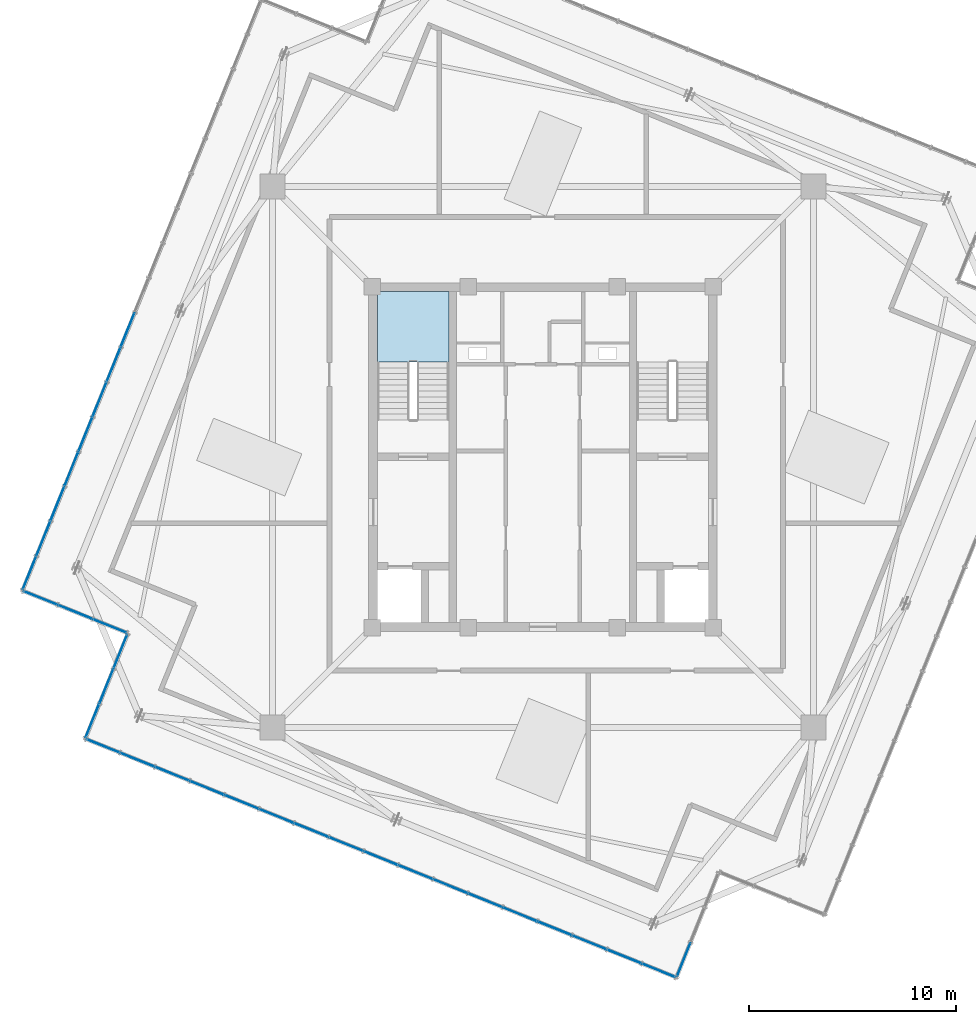
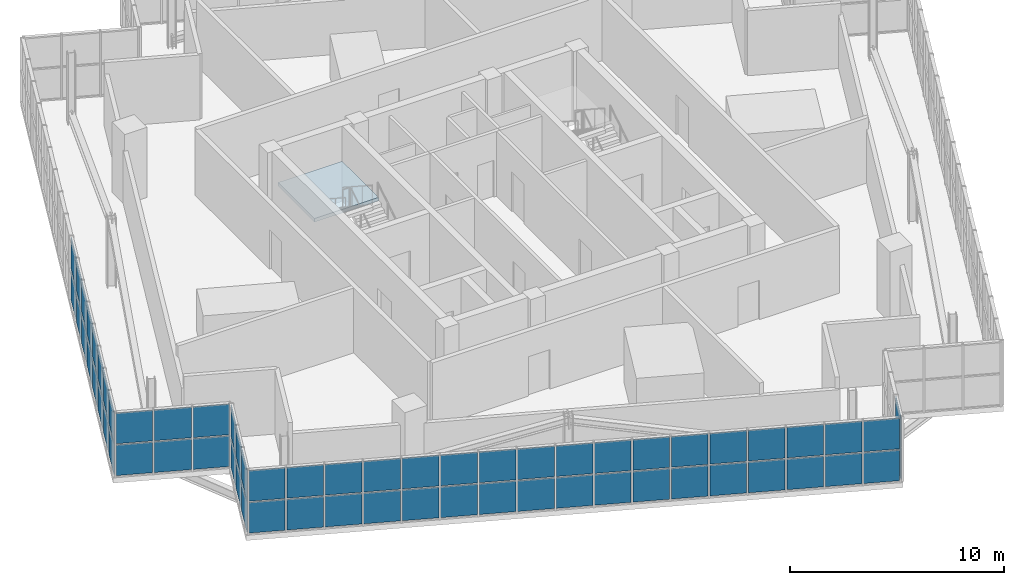
# One storey, part 18 of 26: 64 plates, 1 slab, 6 elements without a shape of their own.
"""IFC4 building model written with IfcOpenShell, lengths in metres."""

from ifc_helpers import new_model, si_unit, direction, frame, origin, origin_2d, place, context, subcontext, project, spatial, polyline, rectangle, outline, extrude, source, transform, mapped, material, layer, layer_set, type_object, element, aggregate, save


model = new_model("IFC4")

# Units and contexts
model_context = context("Model", 3, precision=1e-05, world=origin(), true_north=direction((0.0, 1.0)))
body_context = subcontext(model_context, "Body", "Model", "MODEL_VIEW")
ifc_project = project(units=[si_unit("LENGTHUNIT", "METRE"), si_unit("AREAUNIT", "SQUARE_METRE"), si_unit("VOLUMEUNIT", "CUBIC_METRE"), si_unit("PLANEANGLEUNIT", "RADIAN"), si_unit("MASSUNIT", "GRAM", prefix="KILO"), si_unit("THERMODYNAMICTEMPERATUREUNIT", "KELVIN")], contexts=[model_context])

# Site, building, storey
site_placement = place(None, origin())
site = spatial("IfcSite", under=ifc_project, at=site_placement, CompositionType="ELEMENT")
building_placement = place(site_placement, origin())
building = spatial("IfcBuilding", under=site, at=building_placement, Name="Kosmvard Interchange Tower", CompositionType="ELEMENT")
storey_placement = place(building_placement, frame((0.0, 0.0, 329.60009765625)))
storey = spatial("IfcBuildingStorey", under=building, at=storey_placement, Name="L81", CompositionType="ELEMENT", Elevation=329.60009765625)

# Stair, slab
ifc_material_1 = material(Name="Concrete C50/60", Category="concrete")
stair_type = type_object("IfcStairType", Name="Dog-Leg Core Exit Stair H4000 C50/60", PredefinedType="HALF_TURN_STAIR", material=ifc_material_1)
stair_placement = place(storey_placement, origin())
stair = element("IfcStair", 1, at=stair_placement, inside=storey, type_object=stair_type, Name="L81 Protected Exit Stair ST-1", PredefinedType="HALF_TURN_STAIR")
ifc_layer_1 = layer(ifc_material_1, 0.199951171875, Name="Concrete C50/60")
ifc_layer_set_1 = layer_set([ifc_layer_1], Name="Concrete C50/60")
slab_type = type_object("IfcSlabType", Name="Stair Half-Landing Slab 200 C50/60", PredefinedType="LANDING", material=ifc_layer_set_1)
slab_placement = place(storey_placement, frame((0.0, 0.0, 1.7998046875)))
slab = element("IfcSlab", 2, at=slab_placement, type_object=slab_type, Name="ST-1 landing 1", PredefinedType="LANDING", context=body_context, shape_type="SweptSolid", body=[
    extrude(outline(polyline([(-4.5400390625, 4.60009765625), (-4.5400390625, 8.0), (-8.0, 8.0), (-8.0, 4.60009765625), (-4.5400390625, 4.60009765625)])), origin(), (0.0, 0.0, 1.0), 0.2001953125),
])
aggregate(stair, [slab])

# Curtain wall, plates
ifc_material_2 = material(Name="Architectural anodised aluminium", Category="aluminium")
ifc_layer_2 = layer(ifc_material_2, 0.25, Name="Architectural anodised aluminium")
ifc_layer_set_2 = layer_set([ifc_layer_2], Name="Architectural anodised aluminium")
curtain_wall_type = type_object("IfcCurtainWallType", Name="CW-6 Illuminated Crown Lantern Curtain Wall", PredefinedType="NOTDEFINED", material=ifc_layer_set_2)
curtain_wall_1_placement = place(storey_placement, origin())
curtain_wall_1 = element("IfcCurtainWall", 3, at=curtain_wall_1_placement, inside=storey, type_object=curtain_wall_type, Name="L81 Crown Lantern Glazing Face 07", PredefinedType="NOTDEFINED")
ifc_material_3 = material(Name="Laminated acoustic lantern glazing", Category="glass")
ifc_layer_3 = layer(ifc_material_3, 0.035888671875, Name="Laminated acoustic lantern glazing")
ifc_layer_set_3 = layer_set([ifc_layer_3], Name="Laminated acoustic lantern glazing")
plate_type = type_object("IfcPlateType", Name="Lantern Diffused Illuminated Panel 36", PredefinedType="CURTAIN_PANEL", material=ifc_layer_set_3)
shared_shape_1 = source(origin(), body_context, "Body", "SweptSolid", [
    extrude(rectangle(XDim=1.694091796875, YDim=0.035888671875, at=origin_2d()), origin(), (0.0, 0.0, 1.0), 1.7451171875),
])
plate_1_placement = place(storey_placement, frame((-24.825927734375, -5.600830078125, 0.06982421875), z_axis=(0.0, 0.0, 1.0), x_axis=(-0.374606584758, -0.927183858065, 0.0)))
plate_1 = element("IfcPlate", 4, at=plate_1_placement, type_object=plate_type, Name="CW-6 panel 17.1", PredefinedType="CURTAIN_PANEL", context=body_context, shape_type="MappedRepresentation", body=[
    mapped(shared_shape_1, transform((0.0, 0.0, 0.0), scale=1.0)),
])
plate_2_placement = place(storey_placement, frame((-24.825927734375, -5.600830078125, 1.884765625), z_axis=(0.0, 0.0, 1.0), x_axis=(-0.374606584758, -0.927183858065, 0.0)))
plate_2 = element("IfcPlate", 5, at=plate_2_placement, type_object=plate_type, Name="CW-6 panel 17.2", PredefinedType="CURTAIN_PANEL", context=body_context, shape_type="MappedRepresentation", body=[
    mapped(shared_shape_1, transform((0.0, 0.0, 0.0), scale=1.0)),
])

curtain_wall_2_placement = place(storey_placement, origin())
curtain_wall_2 = element("IfcCurtainWall", 6, at=curtain_wall_2_placement, inside=storey, type_object=curtain_wall_type, Name="L81 Crown Lantern Glazing Face 10", PredefinedType="NOTDEFINED")
plate_3_placement = place(storey_placement, frame((-21.2744140625, -13.967529296875, 0.06982421875), z_axis=(0.0, 0.0, 1.0), x_axis=(0.927183858065, -0.374606584758, 0.0)))
plate_3 = element("IfcPlate", 7, at=plate_3_placement, type_object=plate_type, Name="CW-6 panel 1.1", PredefinedType="CURTAIN_PANEL", context=body_context, shape_type="MappedRepresentation", body=[
    mapped(shared_shape_1, transform((0.0, 0.0, 0.0), scale=1.0)),
])
plate_4_placement = place(storey_placement, frame((-21.2744140625, -13.967529296875, 1.884765625), z_axis=(0.0, 0.0, 1.0), x_axis=(0.927183858065, -0.374606584758, 0.0)))
plate_4 = element("IfcPlate", 8, at=plate_4_placement, type_object=plate_type, Name="CW-6 panel 1.2", PredefinedType="CURTAIN_PANEL", context=body_context, shape_type="MappedRepresentation", body=[
    mapped(shared_shape_1, transform((0.0, 0.0, 0.0), scale=1.0)),
])
plate_5_placement = place(storey_placement, frame((5.600830078125, -24.825927734375, 0.06982421875), z_axis=(0.0, 0.0, 1.0), x_axis=(0.927183858065, -0.374606584758, 0.0)))
plate_5 = element("IfcPlate", 9, at=plate_5_placement, type_object=plate_type, Name="CW-6 panel 17.1", PredefinedType="CURTAIN_PANEL", context=body_context, shape_type="MappedRepresentation", body=[
    mapped(shared_shape_1, transform((0.0, 0.0, 0.0), scale=1.0)),
])
plate_6_placement = place(storey_placement, frame((5.600830078125, -24.825927734375, 1.884765625), z_axis=(0.0, 0.0, 1.0), x_axis=(0.927183858065, -0.374606584758, 0.0)))
plate_6 = element("IfcPlate", 10, at=plate_6_placement, type_object=plate_type, Name="CW-6 panel 17.2", PredefinedType="CURTAIN_PANEL", context=body_context, shape_type="MappedRepresentation", body=[
    mapped(shared_shape_1, transform((0.0, 0.0, 0.0), scale=1.0)),
])

# Plate
shared_shape_2 = source(origin(), body_context, "Body", "SweptSolid", [
    extrude(rectangle(XDim=1.734130859375, YDim=0.035888671875, at=origin_2d()), origin(), (0.0, 0.0, 1.0), 1.7451171875),
])
plate_7_placement = place(storey_placement, frame((-20.076171875, 6.15478515625, 0.06982421875), z_axis=(0.0, 0.0, 1.0), x_axis=(-0.374606584758, -0.927183858065, 0.0)))
plate_7 = element("IfcPlate", 11, at=plate_7_placement, type_object=plate_type, Name="CW-6 panel 10.1", PredefinedType="CURTAIN_PANEL", context=body_context, shape_type="MappedRepresentation", body=[
    mapped(shared_shape_2, transform((0.0, 0.0, 0.0), scale=1.0)),
])

plate_8_placement = place(storey_placement, frame((-20.076171875, 6.15478515625, 1.884765625), z_axis=(0.0, 0.0, 1.0), x_axis=(-0.374606584758, -0.927183858065, 0.0)))
plate_8 = element("IfcPlate", 12, at=plate_8_placement, type_object=plate_type, Name="CW-6 panel 10.2", PredefinedType="CURTAIN_PANEL", context=body_context, shape_type="MappedRepresentation", body=[
    mapped(shared_shape_2, transform((0.0, 0.0, 0.0), scale=1.0)),
])

plate_9_placement = place(storey_placement, frame((-20.755859375, 4.47265625, 0.06982421875), z_axis=(0.0, 0.0, 1.0), x_axis=(-0.374606584758, -0.927183858065, 0.0)))
plate_9 = element("IfcPlate", 13, at=plate_9_placement, type_object=plate_type, Name="CW-6 panel 11.1", PredefinedType="CURTAIN_PANEL", context=body_context, shape_type="MappedRepresentation", body=[
    mapped(shared_shape_2, transform((0.0, 0.0, 0.0), scale=1.0)),
])

plate_10_placement = place(storey_placement, frame((-20.755859375, 4.47265625, 1.884765625), z_axis=(0.0, 0.0, 1.0), x_axis=(-0.374606584758, -0.927183858065, 0.0)))
plate_10 = element("IfcPlate", 14, at=plate_10_placement, type_object=plate_type, Name="CW-6 panel 11.2", PredefinedType="CURTAIN_PANEL", context=body_context, shape_type="MappedRepresentation", body=[
    mapped(shared_shape_2, transform((0.0, 0.0, 0.0), scale=1.0)),
])

plate_11_placement = place(storey_placement, frame((-21.435546875, 2.790771484375, 0.06982421875), z_axis=(0.0, 0.0, 1.0), x_axis=(-0.374606584758, -0.927183858065, 0.0)))
plate_11 = element("IfcPlate", 15, at=plate_11_placement, type_object=plate_type, Name="CW-6 panel 12.1", PredefinedType="CURTAIN_PANEL", context=body_context, shape_type="MappedRepresentation", body=[
    mapped(shared_shape_2, transform((0.0, 0.0, 0.0), scale=1.0)),
])

plate_12_placement = place(storey_placement, frame((-21.435546875, 2.790771484375, 1.884765625), z_axis=(0.0, 0.0, 1.0), x_axis=(-0.374606584758, -0.927183858065, 0.0)))
plate_12 = element("IfcPlate", 16, at=plate_12_placement, type_object=plate_type, Name="CW-6 panel 12.2", PredefinedType="CURTAIN_PANEL", context=body_context, shape_type="MappedRepresentation", body=[
    mapped(shared_shape_2, transform((0.0, 0.0, 0.0), scale=1.0)),
])

plate_13_placement = place(storey_placement, frame((-22.114990234375, 1.108642578125, 0.06982421875), z_axis=(0.0, 0.0, 1.0), x_axis=(-0.374606584758, -0.927183858065, 0.0)))
plate_13 = element("IfcPlate", 17, at=plate_13_placement, type_object=plate_type, Name="CW-6 panel 13.1", PredefinedType="CURTAIN_PANEL", context=body_context, shape_type="MappedRepresentation", body=[
    mapped(shared_shape_2, transform((0.0, 0.0, 0.0), scale=1.0)),
])

plate_14_placement = place(storey_placement, frame((-22.114990234375, 1.108642578125, 1.884765625), z_axis=(0.0, 0.0, 1.0), x_axis=(-0.374606584758, -0.927183858065, 0.0)))
plate_14 = element("IfcPlate", 18, at=plate_14_placement, type_object=plate_type, Name="CW-6 panel 13.2", PredefinedType="CURTAIN_PANEL", context=body_context, shape_type="MappedRepresentation", body=[
    mapped(shared_shape_2, transform((0.0, 0.0, 0.0), scale=1.0)),
])

plate_15_placement = place(storey_placement, frame((-22.794677734375, -0.5732421875, 0.06982421875), z_axis=(0.0, 0.0, 1.0), x_axis=(-0.374606584758, -0.927183858065, 0.0)))
plate_15 = element("IfcPlate", 19, at=plate_15_placement, type_object=plate_type, Name="CW-6 panel 14.1", PredefinedType="CURTAIN_PANEL", context=body_context, shape_type="MappedRepresentation", body=[
    mapped(shared_shape_2, transform((0.0, 0.0, 0.0), scale=1.0)),
])

plate_16_placement = place(storey_placement, frame((-22.794677734375, -0.5732421875, 1.884765625), z_axis=(0.0, 0.0, 1.0), x_axis=(-0.374606584758, -0.927183858065, 0.0)))
plate_16 = element("IfcPlate", 20, at=plate_16_placement, type_object=plate_type, Name="CW-6 panel 14.2", PredefinedType="CURTAIN_PANEL", context=body_context, shape_type="MappedRepresentation", body=[
    mapped(shared_shape_2, transform((0.0, 0.0, 0.0), scale=1.0)),
])

plate_17_placement = place(storey_placement, frame((-23.47412109375, -2.25537109375, 0.06982421875), z_axis=(0.0, 0.0, 1.0), x_axis=(-0.374606584758, -0.927183858065, 0.0)))
plate_17 = element("IfcPlate", 21, at=plate_17_placement, type_object=plate_type, Name="CW-6 panel 15.1", PredefinedType="CURTAIN_PANEL", context=body_context, shape_type="MappedRepresentation", body=[
    mapped(shared_shape_2, transform((0.0, 0.0, 0.0), scale=1.0)),
])

plate_18_placement = place(storey_placement, frame((-23.47412109375, -2.25537109375, 1.884765625), z_axis=(0.0, 0.0, 1.0), x_axis=(-0.374606584758, -0.927183858065, 0.0)))
plate_18 = element("IfcPlate", 22, at=plate_18_placement, type_object=plate_type, Name="CW-6 panel 15.2", PredefinedType="CURTAIN_PANEL", context=body_context, shape_type="MappedRepresentation", body=[
    mapped(shared_shape_2, transform((0.0, 0.0, 0.0), scale=1.0)),
])

plate_19_placement = place(storey_placement, frame((-24.15380859375, -3.937255859375, 0.06982421875), z_axis=(0.0, 0.0, 1.0), x_axis=(-0.374606584758, -0.927183858065, 0.0)))
plate_19 = element("IfcPlate", 23, at=plate_19_placement, type_object=plate_type, Name="CW-6 panel 16.1", PredefinedType="CURTAIN_PANEL", context=body_context, shape_type="MappedRepresentation", body=[
    mapped(shared_shape_2, transform((0.0, 0.0, 0.0), scale=1.0)),
])

plate_20_placement = place(storey_placement, frame((-24.15380859375, -3.937255859375, 1.884765625), z_axis=(0.0, 0.0, 1.0), x_axis=(-0.374606584758, -0.927183858065, 0.0)))
plate_20 = element("IfcPlate", 24, at=plate_20_placement, type_object=plate_type, Name="CW-6 panel 16.2", PredefinedType="CURTAIN_PANEL", context=body_context, shape_type="MappedRepresentation", body=[
    mapped(shared_shape_2, transform((0.0, 0.0, 0.0), scale=1.0)),
])

aggregate(curtain_wall_1, [plate_7, plate_8, plate_9, plate_10, plate_11, plate_12, plate_13, plate_14, plate_15, plate_16, plate_17, plate_18, plate_19, plate_20, plate_1, plate_2])

plate_21_placement = place(storey_placement, frame((-19.61083984375, -14.6396484375, 0.06982421875), z_axis=(0.0, 0.0, 1.0), x_axis=(0.927183858065, -0.374606584758, 0.0)))
plate_21 = element("IfcPlate", 25, at=plate_21_placement, type_object=plate_type, Name="CW-6 panel 2.1", PredefinedType="CURTAIN_PANEL", context=body_context, shape_type="MappedRepresentation", body=[
    mapped(shared_shape_2, transform((0.0, 0.0, 0.0), scale=1.0)),
])

plate_22_placement = place(storey_placement, frame((-19.61083984375, -14.6396484375, 1.884765625), z_axis=(0.0, 0.0, 1.0), x_axis=(0.927183858065, -0.374606584758, 0.0)))
plate_22 = element("IfcPlate", 26, at=plate_22_placement, type_object=plate_type, Name="CW-6 panel 2.2", PredefinedType="CURTAIN_PANEL", context=body_context, shape_type="MappedRepresentation", body=[
    mapped(shared_shape_2, transform((0.0, 0.0, 0.0), scale=1.0)),
])

plate_23_placement = place(storey_placement, frame((-17.928955078125, -15.319091796875, 0.06982421875), z_axis=(0.0, 0.0, 1.0), x_axis=(0.927183858065, -0.374606584758, 0.0)))
plate_23 = element("IfcPlate", 27, at=plate_23_placement, type_object=plate_type, Name="CW-6 panel 3.1", PredefinedType="CURTAIN_PANEL", context=body_context, shape_type="MappedRepresentation", body=[
    mapped(shared_shape_2, transform((0.0, 0.0, 0.0), scale=1.0)),
])

plate_24_placement = place(storey_placement, frame((-17.928955078125, -15.319091796875, 1.884765625), z_axis=(0.0, 0.0, 1.0), x_axis=(0.927183858065, -0.374606584758, 0.0)))
plate_24 = element("IfcPlate", 28, at=plate_24_placement, type_object=plate_type, Name="CW-6 panel 3.2", PredefinedType="CURTAIN_PANEL", context=body_context, shape_type="MappedRepresentation", body=[
    mapped(shared_shape_2, transform((0.0, 0.0, 0.0), scale=1.0)),
])

plate_25_placement = place(storey_placement, frame((-16.246826171875, -15.998779296875, 0.06982421875), z_axis=(0.0, 0.0, 1.0), x_axis=(0.927183858065, -0.374606584758, 0.0)))
plate_25 = element("IfcPlate", 29, at=plate_25_placement, type_object=plate_type, Name="CW-6 panel 4.1", PredefinedType="CURTAIN_PANEL", context=body_context, shape_type="MappedRepresentation", body=[
    mapped(shared_shape_2, transform((0.0, 0.0, 0.0), scale=1.0)),
])

plate_26_placement = place(storey_placement, frame((-16.246826171875, -15.998779296875, 1.884765625), z_axis=(0.0, 0.0, 1.0), x_axis=(0.927183858065, -0.374606584758, 0.0)))
plate_26 = element("IfcPlate", 30, at=plate_26_placement, type_object=plate_type, Name="CW-6 panel 4.2", PredefinedType="CURTAIN_PANEL", context=body_context, shape_type="MappedRepresentation", body=[
    mapped(shared_shape_2, transform((0.0, 0.0, 0.0), scale=1.0)),
])

plate_27_placement = place(storey_placement, frame((-14.56494140625, -16.678466796875, 0.06982421875), z_axis=(0.0, 0.0, 1.0), x_axis=(0.927183858065, -0.374606584758, 0.0)))
plate_27 = element("IfcPlate", 31, at=plate_27_placement, type_object=plate_type, Name="CW-6 panel 5.1", PredefinedType="CURTAIN_PANEL", context=body_context, shape_type="MappedRepresentation", body=[
    mapped(shared_shape_2, transform((0.0, 0.0, 0.0), scale=1.0)),
])

plate_28_placement = place(storey_placement, frame((-14.56494140625, -16.678466796875, 1.884765625), z_axis=(0.0, 0.0, 1.0), x_axis=(0.927183858065, -0.374606584758, 0.0)))
plate_28 = element("IfcPlate", 32, at=plate_28_placement, type_object=plate_type, Name="CW-6 panel 5.2", PredefinedType="CURTAIN_PANEL", context=body_context, shape_type="MappedRepresentation", body=[
    mapped(shared_shape_2, transform((0.0, 0.0, 0.0), scale=1.0)),
])

plate_29_placement = place(storey_placement, frame((-12.8828125, -17.35791015625, 0.06982421875), z_axis=(0.0, 0.0, 1.0), x_axis=(0.927183858065, -0.374606584758, 0.0)))
plate_29 = element("IfcPlate", 33, at=plate_29_placement, type_object=plate_type, Name="CW-6 panel 6.1", PredefinedType="CURTAIN_PANEL", context=body_context, shape_type="MappedRepresentation", body=[
    mapped(shared_shape_2, transform((0.0, 0.0, 0.0), scale=1.0)),
])

plate_30_placement = place(storey_placement, frame((-12.8828125, -17.35791015625, 1.884765625), z_axis=(0.0, 0.0, 1.0), x_axis=(0.927183858065, -0.374606584758, 0.0)))
plate_30 = element("IfcPlate", 34, at=plate_30_placement, type_object=plate_type, Name="CW-6 panel 6.2", PredefinedType="CURTAIN_PANEL", context=body_context, shape_type="MappedRepresentation", body=[
    mapped(shared_shape_2, transform((0.0, 0.0, 0.0), scale=1.0)),
])

plate_31_placement = place(storey_placement, frame((-11.200927734375, -18.03759765625, 0.06982421875), z_axis=(0.0, 0.0, 1.0), x_axis=(0.927183858065, -0.374606584758, 0.0)))
plate_31 = element("IfcPlate", 35, at=plate_31_placement, type_object=plate_type, Name="CW-6 panel 7.1", PredefinedType="CURTAIN_PANEL", context=body_context, shape_type="MappedRepresentation", body=[
    mapped(shared_shape_2, transform((0.0, 0.0, 0.0), scale=1.0)),
])

plate_32_placement = place(storey_placement, frame((-11.200927734375, -18.03759765625, 1.884765625), z_axis=(0.0, 0.0, 1.0), x_axis=(0.927183858065, -0.374606584758, 0.0)))
plate_32 = element("IfcPlate", 36, at=plate_32_placement, type_object=plate_type, Name="CW-6 panel 7.2", PredefinedType="CURTAIN_PANEL", context=body_context, shape_type="MappedRepresentation", body=[
    mapped(shared_shape_2, transform((0.0, 0.0, 0.0), scale=1.0)),
])

plate_33_placement = place(storey_placement, frame((-9.518798828125, -18.717041015625, 0.06982421875), z_axis=(0.0, 0.0, 1.0), x_axis=(0.927183858065, -0.374606584758, 0.0)))
plate_33 = element("IfcPlate", 37, at=plate_33_placement, type_object=plate_type, Name="CW-6 panel 8.1", PredefinedType="CURTAIN_PANEL", context=body_context, shape_type="MappedRepresentation", body=[
    mapped(shared_shape_2, transform((0.0, 0.0, 0.0), scale=1.0)),
])

plate_34_placement = place(storey_placement, frame((-9.518798828125, -18.717041015625, 1.884765625), z_axis=(0.0, 0.0, 1.0), x_axis=(0.927183858065, -0.374606584758, 0.0)))
plate_34 = element("IfcPlate", 38, at=plate_34_placement, type_object=plate_type, Name="CW-6 panel 8.2", PredefinedType="CURTAIN_PANEL", context=body_context, shape_type="MappedRepresentation", body=[
    mapped(shared_shape_2, transform((0.0, 0.0, 0.0), scale=1.0)),
])

plate_35_placement = place(storey_placement, frame((-7.836669921875, -19.396728515625, 0.06982421875), z_axis=(0.0, 0.0, 1.0), x_axis=(0.927183858065, -0.374606584758, 0.0)))
plate_35 = element("IfcPlate", 39, at=plate_35_placement, type_object=plate_type, Name="CW-6 panel 9.1", PredefinedType="CURTAIN_PANEL", context=body_context, shape_type="MappedRepresentation", body=[
    mapped(shared_shape_2, transform((0.0, 0.0, 0.0), scale=1.0)),
])

plate_36_placement = place(storey_placement, frame((-7.836669921875, -19.396728515625, 1.884765625), z_axis=(0.0, 0.0, 1.0), x_axis=(0.927183858065, -0.374606584758, 0.0)))
plate_36 = element("IfcPlate", 40, at=plate_36_placement, type_object=plate_type, Name="CW-6 panel 9.2", PredefinedType="CURTAIN_PANEL", context=body_context, shape_type="MappedRepresentation", body=[
    mapped(shared_shape_2, transform((0.0, 0.0, 0.0), scale=1.0)),
])

plate_37_placement = place(storey_placement, frame((-6.15478515625, -20.076171875, 0.06982421875), z_axis=(0.0, 0.0, 1.0), x_axis=(0.927183858065, -0.374606584758, 0.0)))
plate_37 = element("IfcPlate", 41, at=plate_37_placement, type_object=plate_type, Name="CW-6 panel 10.1", PredefinedType="CURTAIN_PANEL", context=body_context, shape_type="MappedRepresentation", body=[
    mapped(shared_shape_2, transform((0.0, 0.0, 0.0), scale=1.0)),
])

plate_38_placement = place(storey_placement, frame((-6.15478515625, -20.076171875, 1.884765625), z_axis=(0.0, 0.0, 1.0), x_axis=(0.927183858065, -0.374606584758, 0.0)))
plate_38 = element("IfcPlate", 42, at=plate_38_placement, type_object=plate_type, Name="CW-6 panel 10.2", PredefinedType="CURTAIN_PANEL", context=body_context, shape_type="MappedRepresentation", body=[
    mapped(shared_shape_2, transform((0.0, 0.0, 0.0), scale=1.0)),
])

plate_39_placement = place(storey_placement, frame((-4.47265625, -20.755859375, 0.06982421875), z_axis=(0.0, 0.0, 1.0), x_axis=(0.927183858065, -0.374606584758, 0.0)))
plate_39 = element("IfcPlate", 43, at=plate_39_placement, type_object=plate_type, Name="CW-6 panel 11.1", PredefinedType="CURTAIN_PANEL", context=body_context, shape_type="MappedRepresentation", body=[
    mapped(shared_shape_2, transform((0.0, 0.0, 0.0), scale=1.0)),
])

plate_40_placement = place(storey_placement, frame((-4.47265625, -20.755859375, 1.884765625), z_axis=(0.0, 0.0, 1.0), x_axis=(0.927183858065, -0.374606584758, 0.0)))
plate_40 = element("IfcPlate", 44, at=plate_40_placement, type_object=plate_type, Name="CW-6 panel 11.2", PredefinedType="CURTAIN_PANEL", context=body_context, shape_type="MappedRepresentation", body=[
    mapped(shared_shape_2, transform((0.0, 0.0, 0.0), scale=1.0)),
])

plate_41_placement = place(storey_placement, frame((-2.790771484375, -21.435546875, 0.06982421875), z_axis=(0.0, 0.0, 1.0), x_axis=(0.927183858065, -0.374606584758, 0.0)))
plate_41 = element("IfcPlate", 45, at=plate_41_placement, type_object=plate_type, Name="CW-6 panel 12.1", PredefinedType="CURTAIN_PANEL", context=body_context, shape_type="MappedRepresentation", body=[
    mapped(shared_shape_2, transform((0.0, 0.0, 0.0), scale=1.0)),
])

plate_42_placement = place(storey_placement, frame((-2.790771484375, -21.435546875, 1.884765625), z_axis=(0.0, 0.0, 1.0), x_axis=(0.927183858065, -0.374606584758, 0.0)))
plate_42 = element("IfcPlate", 46, at=plate_42_placement, type_object=plate_type, Name="CW-6 panel 12.2", PredefinedType="CURTAIN_PANEL", context=body_context, shape_type="MappedRepresentation", body=[
    mapped(shared_shape_2, transform((0.0, 0.0, 0.0), scale=1.0)),
])

plate_43_placement = place(storey_placement, frame((-1.108642578125, -22.114990234375, 0.06982421875), z_axis=(0.0, 0.0, 1.0), x_axis=(0.927183858065, -0.374606584758, 0.0)))
plate_43 = element("IfcPlate", 47, at=plate_43_placement, type_object=plate_type, Name="CW-6 panel 13.1", PredefinedType="CURTAIN_PANEL", context=body_context, shape_type="MappedRepresentation", body=[
    mapped(shared_shape_2, transform((0.0, 0.0, 0.0), scale=1.0)),
])

plate_44_placement = place(storey_placement, frame((-1.108642578125, -22.114990234375, 1.884765625), z_axis=(0.0, 0.0, 1.0), x_axis=(0.927183858065, -0.374606584758, 0.0)))
plate_44 = element("IfcPlate", 48, at=plate_44_placement, type_object=plate_type, Name="CW-6 panel 13.2", PredefinedType="CURTAIN_PANEL", context=body_context, shape_type="MappedRepresentation", body=[
    mapped(shared_shape_2, transform((0.0, 0.0, 0.0), scale=1.0)),
])

plate_45_placement = place(storey_placement, frame((0.5732421875, -22.794677734375, 0.06982421875), z_axis=(0.0, 0.0, 1.0), x_axis=(0.927183858065, -0.374606584758, 0.0)))
plate_45 = element("IfcPlate", 49, at=plate_45_placement, type_object=plate_type, Name="CW-6 panel 14.1", PredefinedType="CURTAIN_PANEL", context=body_context, shape_type="MappedRepresentation", body=[
    mapped(shared_shape_2, transform((0.0, 0.0, 0.0), scale=1.0)),
])

plate_46_placement = place(storey_placement, frame((0.5732421875, -22.794677734375, 1.884765625), z_axis=(0.0, 0.0, 1.0), x_axis=(0.927183858065, -0.374606584758, 0.0)))
plate_46 = element("IfcPlate", 50, at=plate_46_placement, type_object=plate_type, Name="CW-6 panel 14.2", PredefinedType="CURTAIN_PANEL", context=body_context, shape_type="MappedRepresentation", body=[
    mapped(shared_shape_2, transform((0.0, 0.0, 0.0), scale=1.0)),
])

plate_47_placement = place(storey_placement, frame((2.25537109375, -23.47412109375, 0.06982421875), z_axis=(0.0, 0.0, 1.0), x_axis=(0.927183858065, -0.374606584758, 0.0)))
plate_47 = element("IfcPlate", 51, at=plate_47_placement, type_object=plate_type, Name="CW-6 panel 15.1", PredefinedType="CURTAIN_PANEL", context=body_context, shape_type="MappedRepresentation", body=[
    mapped(shared_shape_2, transform((0.0, 0.0, 0.0), scale=1.0)),
])

plate_48_placement = place(storey_placement, frame((2.25537109375, -23.47412109375, 1.884765625), z_axis=(0.0, 0.0, 1.0), x_axis=(0.927183858065, -0.374606584758, 0.0)))
plate_48 = element("IfcPlate", 52, at=plate_48_placement, type_object=plate_type, Name="CW-6 panel 15.2", PredefinedType="CURTAIN_PANEL", context=body_context, shape_type="MappedRepresentation", body=[
    mapped(shared_shape_2, transform((0.0, 0.0, 0.0), scale=1.0)),
])

plate_49_placement = place(storey_placement, frame((3.937255859375, -24.15380859375, 0.06982421875), z_axis=(0.0, 0.0, 1.0), x_axis=(0.927183858065, -0.374606584758, 0.0)))
plate_49 = element("IfcPlate", 53, at=plate_49_placement, type_object=plate_type, Name="CW-6 panel 16.1", PredefinedType="CURTAIN_PANEL", context=body_context, shape_type="MappedRepresentation", body=[
    mapped(shared_shape_2, transform((0.0, 0.0, 0.0), scale=1.0)),
])

plate_50_placement = place(storey_placement, frame((3.937255859375, -24.15380859375, 1.884765625), z_axis=(0.0, 0.0, 1.0), x_axis=(0.927183858065, -0.374606584758, 0.0)))
plate_50 = element("IfcPlate", 54, at=plate_50_placement, type_object=plate_type, Name="CW-6 panel 16.2", PredefinedType="CURTAIN_PANEL", context=body_context, shape_type="MappedRepresentation", body=[
    mapped(shared_shape_2, transform((0.0, 0.0, 0.0), scale=1.0)),
])

aggregate(curtain_wall_2, [plate_3, plate_4, plate_21, plate_22, plate_23, plate_24, plate_25, plate_26, plate_27, plate_28, plate_29, plate_30, plate_31, plate_32, plate_33, plate_34, plate_35, plate_36, plate_37, plate_38, plate_39, plate_40, plate_41, plate_42, plate_43, plate_44, plate_45, plate_46, plate_47, plate_48, plate_49, plate_50, plate_5, plate_6])

# Curtain wall, plates
curtain_wall_3_placement = place(storey_placement, origin())
curtain_wall_3 = element("IfcCurtainWall", 55, at=curtain_wall_3_placement, inside=storey, type_object=curtain_wall_type, Name="L81 Crown Lantern Glazing Face 08", PredefinedType="NOTDEFINED")
shared_shape_3 = source(origin(), body_context, "Body", "SweptSolid", [
    extrude(rectangle(XDim=1.71337890625, YDim=0.035888671875, at=origin_2d()), origin(), (0.0, 0.0, 1.0), 1.7451171875),
])
plate_51_placement = place(storey_placement, frame((-24.3046875, -6.811279296875, 0.06982421875), z_axis=(0.0, 0.0, 1.0), x_axis=(0.92718386612, -0.374606564822, 0.0)))
plate_51 = element("IfcPlate", 56, at=plate_51_placement, type_object=plate_type, Name="CW-6 panel 1.1", PredefinedType="CURTAIN_PANEL", context=body_context, shape_type="MappedRepresentation", body=[
    mapped(shared_shape_3, transform((0.0, 0.0, 0.0), scale=1.0)),
])
plate_52_placement = place(storey_placement, frame((-24.3046875, -6.811279296875, 1.884765625), z_axis=(0.0, 0.0, 1.0), x_axis=(0.92718386612, -0.374606564822, 0.0)))
plate_52 = element("IfcPlate", 57, at=plate_52_placement, type_object=plate_type, Name="CW-6 panel 1.2", PredefinedType="CURTAIN_PANEL", context=body_context, shape_type="MappedRepresentation", body=[
    mapped(shared_shape_3, transform((0.0, 0.0, 0.0), scale=1.0)),
])
plate_53_placement = place(storey_placement, frame((-20.942138671875, -8.169921875, 0.06982421875), z_axis=(0.0, 0.0, 1.0), x_axis=(0.92718386612, -0.374606564822, 0.0)))
plate_53 = element("IfcPlate", 58, at=plate_53_placement, type_object=plate_type, Name="CW-6 panel 3.1", PredefinedType="CURTAIN_PANEL", context=body_context, shape_type="MappedRepresentation", body=[
    mapped(shared_shape_3, transform((0.0, 0.0, 0.0), scale=1.0)),
])
plate_54_placement = place(storey_placement, frame((-20.942138671875, -8.169921875, 1.884765625), z_axis=(0.0, 0.0, 1.0), x_axis=(0.92718386612, -0.374606564822, 0.0)))
plate_54 = element("IfcPlate", 59, at=plate_54_placement, type_object=plate_type, Name="CW-6 panel 3.2", PredefinedType="CURTAIN_PANEL", context=body_context, shape_type="MappedRepresentation", body=[
    mapped(shared_shape_3, transform((0.0, 0.0, 0.0), scale=1.0)),
])

curtain_wall_4_placement = place(storey_placement, origin())
curtain_wall_4 = element("IfcCurtainWall", 60, at=curtain_wall_4_placement, inside=storey, type_object=curtain_wall_type, Name="L81 Crown Lantern Glazing Face 09", PredefinedType="NOTDEFINED")
plate_55_placement = place(storey_placement, frame((-20.424560546875, -9.38916015625, 0.06982421875), z_axis=(0.0, 0.0, 1.0), x_axis=(-0.374606501678, -0.927183891631, 0.0)))
plate_55 = element("IfcPlate", 61, at=plate_55_placement, type_object=plate_type, Name="CW-6 panel 1.1", PredefinedType="CURTAIN_PANEL", context=body_context, shape_type="MappedRepresentation", body=[
    mapped(shared_shape_3, transform((0.0, 0.0, 0.0), scale=1.0)),
])
plate_56_placement = place(storey_placement, frame((-20.424560546875, -9.38916015625, 1.884765625), z_axis=(0.0, 0.0, 1.0), x_axis=(-0.374606501678, -0.927183891631, 0.0)))
plate_56 = element("IfcPlate", 62, at=plate_56_placement, type_object=plate_type, Name="CW-6 panel 1.2", PredefinedType="CURTAIN_PANEL", context=body_context, shape_type="MappedRepresentation", body=[
    mapped(shared_shape_3, transform((0.0, 0.0, 0.0), scale=1.0)),
])
plate_57_placement = place(storey_placement, frame((-21.782958984375, -12.751708984375, 0.06982421875), z_axis=(0.0, 0.0, 1.0), x_axis=(-0.374606501678, -0.927183891631, 0.0)))
plate_57 = element("IfcPlate", 63, at=plate_57_placement, type_object=plate_type, Name="CW-6 panel 3.1", PredefinedType="CURTAIN_PANEL", context=body_context, shape_type="MappedRepresentation", body=[
    mapped(shared_shape_3, transform((0.0, 0.0, 0.0), scale=1.0)),
])
plate_58_placement = place(storey_placement, frame((-21.782958984375, -12.751708984375, 1.884765625), z_axis=(0.0, 0.0, 1.0), x_axis=(-0.374606501678, -0.927183891631, 0.0)))
plate_58 = element("IfcPlate", 64, at=plate_58_placement, type_object=plate_type, Name="CW-6 panel 3.2", PredefinedType="CURTAIN_PANEL", context=body_context, shape_type="MappedRepresentation", body=[
    mapped(shared_shape_3, transform((0.0, 0.0, 0.0), scale=1.0)),
])

curtain_wall_5_placement = place(storey_placement, origin())
curtain_wall_5 = element("IfcCurtainWall", 65, at=curtain_wall_5_placement, inside=storey, type_object=curtain_wall_type, Name="L81 Crown Lantern Glazing Face 11", PredefinedType="NOTDEFINED")
plate_59_placement = place(storey_placement, frame((6.811279296875, -24.3046875, 0.06982421875), z_axis=(0.0, 0.0, 1.0), x_axis=(0.374606564822, 0.92718386612, 0.0)))
plate_59 = element("IfcPlate", 66, at=plate_59_placement, type_object=plate_type, Name="CW-6 panel 1.1", PredefinedType="CURTAIN_PANEL", context=body_context, shape_type="MappedRepresentation", body=[
    mapped(shared_shape_3, transform((0.0, 0.0, 0.0), scale=1.0)),
])
plate_60_placement = place(storey_placement, frame((6.811279296875, -24.3046875, 1.884765625), z_axis=(0.0, 0.0, 1.0), x_axis=(0.374606564822, 0.92718386612, 0.0)))
plate_60 = element("IfcPlate", 67, at=plate_60_placement, type_object=plate_type, Name="CW-6 panel 1.2", PredefinedType="CURTAIN_PANEL", context=body_context, shape_type="MappedRepresentation", body=[
    mapped(shared_shape_3, transform((0.0, 0.0, 0.0), scale=1.0)),
])
aggregate(curtain_wall_5, [plate_59, plate_60])

# Plate
shared_shape_4 = source(origin(), body_context, "Body", "SweptSolid", [
    extrude(rectangle(XDim=1.75341796875, YDim=0.035888671875, at=origin_2d()), origin(), (0.0, 0.0, 1.0), 1.7451171875),
])
plate_61_placement = place(storey_placement, frame((-22.623291015625, -7.490478515625, 0.06982421875), z_axis=(0.0, 0.0, 1.0), x_axis=(0.92718386612, -0.374606564822, 0.0)))
plate_61 = element("IfcPlate", 68, at=plate_61_placement, type_object=plate_type, Name="CW-6 panel 2.1", PredefinedType="CURTAIN_PANEL", context=body_context, shape_type="MappedRepresentation", body=[
    mapped(shared_shape_4, transform((0.0, 0.0, 0.0), scale=1.0)),
])

plate_62_placement = place(storey_placement, frame((-22.623291015625, -7.490478515625, 1.884765625), z_axis=(0.0, 0.0, 1.0), x_axis=(0.92718386612, -0.374606564822, 0.0)))
plate_62 = element("IfcPlate", 69, at=plate_62_placement, type_object=plate_type, Name="CW-6 panel 2.2", PredefinedType="CURTAIN_PANEL", context=body_context, shape_type="MappedRepresentation", body=[
    mapped(shared_shape_4, transform((0.0, 0.0, 0.0), scale=1.0)),
])

aggregate(curtain_wall_3, [plate_51, plate_52, plate_61, plate_62, plate_53, plate_54])

plate_63_placement = place(storey_placement, frame((-21.103759765625, -11.070556640625, 0.06982421875), z_axis=(0.0, 0.0, 1.0), x_axis=(-0.374606501678, -0.927183891631, 0.0)))
plate_63 = element("IfcPlate", 70, at=plate_63_placement, type_object=plate_type, Name="CW-6 panel 2.1", PredefinedType="CURTAIN_PANEL", context=body_context, shape_type="MappedRepresentation", body=[
    mapped(shared_shape_4, transform((0.0, 0.0, 0.0), scale=1.0)),
])

plate_64_placement = place(storey_placement, frame((-21.103759765625, -11.070556640625, 1.884765625), z_axis=(0.0, 0.0, 1.0), x_axis=(-0.374606501678, -0.927183891631, 0.0)))
plate_64 = element("IfcPlate", 71, at=plate_64_placement, type_object=plate_type, Name="CW-6 panel 2.2", PredefinedType="CURTAIN_PANEL", context=body_context, shape_type="MappedRepresentation", body=[
    mapped(shared_shape_4, transform((0.0, 0.0, 0.0), scale=1.0)),
])

aggregate(curtain_wall_4, [plate_55, plate_56, plate_63, plate_64, plate_57, plate_58])

save(model, "model.ifc")
